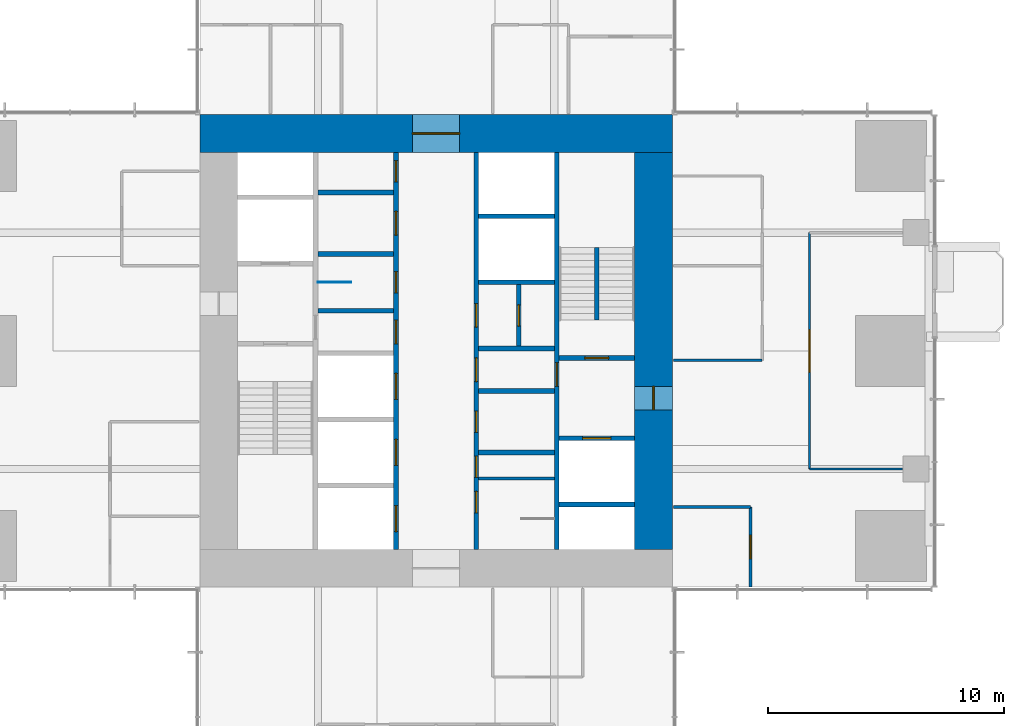
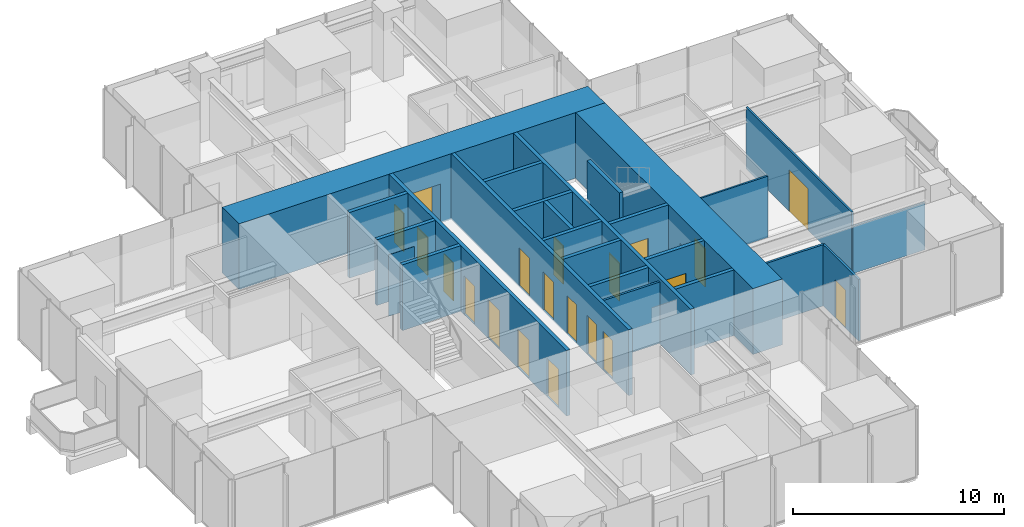
# One storey, part 9 of 13: 25 walls, 20 doors, 20 openings.
"""IFC4 building model written with IfcOpenShell, lengths in metres."""

from ifc_helpers import new_model, si_unit, direction, frame, frame_2d, origin, place, context, subcontext, project, spatial, rectangle, extrude, material, layer, layer_set, type_object, element, fill, save


model = new_model("IFC4")

# Units and contexts
model_context = context("Model", 3, precision=1e-05, world=origin(), true_north=direction((0.0, 1.0)))
body_context = subcontext(model_context, "Body", "Model", "MODEL_VIEW")
ifc_project = project(units=[si_unit("LENGTHUNIT", "METRE"), si_unit("AREAUNIT", "SQUARE_METRE"), si_unit("VOLUMEUNIT", "CUBIC_METRE"), si_unit("PLANEANGLEUNIT", "RADIAN"), si_unit("MASSUNIT", "GRAM", prefix="KILO")], contexts=[model_context])

# Site, building, storey
site_placement = place(None, origin())
site = spatial("IfcSite", under=ifc_project, at=site_placement, CompositionType="ELEMENT")
building_placement = place(site_placement, origin())
building = spatial("IfcBuilding", under=site, at=building_placement, Name="Svetlomir Tower", CompositionType="ELEMENT")
storey_placement = place(building_placement, frame((0.0, 0.0, 156.5)))
storey = spatial("IfcBuildingStorey", under=building, at=storey_placement, Name="L37", CompositionType="ELEMENT", Elevation=156.5)

# Wall, openings, doors
ifc_material_1 = material(Name="Concrete C60/75", Category="concrete")
ifc_layer_1 = layer(ifc_material_1, 0.199951171875)
ifc_layer_set_1 = layer_set([ifc_layer_1], Name="Concrete C60/75")
wall_type_1 = type_object("IfcWallType", Name="CORE INNER WALL 200", PredefinedType="SHEAR", material=ifc_layer_set_1)
wall_1_placement = place(storey_placement, frame((19.300048828125, 12.60009765625, -0.050048828125), z_axis=(0.0, 0.0, 1.0), x_axis=(0.0, 1.0, 0.0)))
wall_1 = element("IfcWall", 1, at=wall_1_placement, inside=storey, type_object=wall_type_1, Name="Core inner wall 19.3 L37", PredefinedType="SHEAR", context=body_context, shape_type="SweptSolid", body=[
    extrude(rectangle(XDim=16.7998046875, YDim=0.199951171875, at=frame_2d((8.39990234375, 0.0))), origin(), (0.0, 0.0, 1.0), 3.800048828125),
])
opening_1_placement = place(wall_1_placement, frame((8.699951171875, 0.0, 0.050048828125)))
opening_1 = element("IfcOpeningElement", 2, at=opening_1_placement, cuts=wall_1, Name="Opening DC", PredefinedType="OPENING", context=body_context, shape_type="SweptSolid", body=[
    extrude(rectangle(XDim=1.0, YDim=2.199951171875, at=frame_2d((0.5, 1.10009765625))), frame((0.0, 0.10986328125, 0.0), z_axis=(0.0, -1.0, 0.0), x_axis=(1.0, 0.0, 0.0)), (0.0, 0.0, 1.0), 0.219970703125),
])
opening_2_placement = place(wall_1_placement, frame((10.85009765625, 0.0, 0.050048828125)))
opening_2 = element("IfcOpeningElement", 3, at=opening_2_placement, cuts=wall_1, Name="Opening DW", PredefinedType="OPENING", context=body_context, shape_type="SweptSolid", body=[
    extrude(rectangle(XDim=0.89990234375, YDim=2.199951171875, at=frame_2d((0.449951171875, 1.10009765625))), frame((0.0, 0.10986328125, 0.0), z_axis=(0.0, -1.0, 0.0), x_axis=(1.0, 0.0, 0.0)), (0.0, 0.0, 1.0), 0.219970703125),
])
opening_3_placement = place(wall_1_placement, frame((13.300048828125, 0.0, 0.050048828125)))
opening_3 = element("IfcOpeningElement", 4, at=opening_3_placement, cuts=wall_1, Name="Opening DC", PredefinedType="OPENING", context=body_context, shape_type="SweptSolid", body=[
    extrude(rectangle(XDim=1.0, YDim=2.199951171875, at=frame_2d((0.5, 1.10009765625))), frame((0.0, 0.10986328125, 0.0), z_axis=(0.0, -1.0, 0.0), x_axis=(1.0, 0.0, 0.0)), (0.0, 0.0, 1.0), 0.219970703125),
])
opening_4_placement = place(wall_1_placement, frame((15.550048828125, 0.0, 0.050048828125)))
opening_4 = element("IfcOpeningElement", 5, at=opening_4_placement, cuts=wall_1, Name="Opening DW", PredefinedType="OPENING", context=body_context, shape_type="SweptSolid", body=[
    extrude(rectangle(XDim=0.89990234375, YDim=2.199951171875, at=frame_2d((0.449951171875, 1.10009765625))), frame((0.0, 0.10986328125, 0.0), z_axis=(0.0, -1.0, 0.0), x_axis=(1.0, 0.0, 0.0)), (0.0, 0.0, 1.0), 0.219970703125),
])
opening_5_placement = place(wall_1_placement, frame((0.75, 0.0, 0.050048828125)))
opening_5 = element("IfcOpeningElement", 6, at=opening_5_placement, cuts=wall_1, Name="Opening LD", PredefinedType="OPENING", context=body_context, shape_type="SweptSolid", body=[
    extrude(rectangle(XDim=1.10009765625, YDim=2.199951171875, at=frame_2d((0.550048828125, 1.10009765625))), frame((0.0, 0.10986328125, 0.0), z_axis=(0.0, -1.0, 0.0), x_axis=(1.0, 0.0, 0.0)), (0.0, 0.0, 1.0), 0.219970703125),
])
opening_6_placement = place(wall_1_placement, frame((3.550048828125, 0.0, 0.050048828125)))
opening_6 = element("IfcOpeningElement", 7, at=opening_6_placement, cuts=wall_1, Name="Opening LD", PredefinedType="OPENING", context=body_context, shape_type="SweptSolid", body=[
    extrude(rectangle(XDim=1.10009765625, YDim=2.199951171875, at=frame_2d((0.550048828125, 1.10009765625))), frame((0.0, 0.10986328125, 0.0), z_axis=(0.0, -1.0, 0.0), x_axis=(1.0, 0.0, 0.0)), (0.0, 0.0, 1.0), 0.219970703125),
])
opening_7_placement = place(wall_1_placement, frame((6.35009765625, 0.0, 0.050048828125)))
opening_7 = element("IfcOpeningElement", 8, at=opening_7_placement, cuts=wall_1, Name="Opening LD", PredefinedType="OPENING", context=body_context, shape_type="SweptSolid", body=[
    extrude(rectangle(XDim=1.10009765625, YDim=2.199951171875, at=frame_2d((0.550048828125, 1.10009765625))), frame((0.0, 0.10986328125, 0.0), z_axis=(0.0, -1.0, 0.0), x_axis=(1.0, 0.0, 0.0)), (0.0, 0.0, 1.0), 0.219970703125),
])
ifc_material_2 = material(Name="Timber fire door", Category="wood")
door_type_1 = type_object("IfcDoorType", Name="DOOR DC 1000x2200", OperationType="SINGLE_SWING_LEFT", PredefinedType="DOOR", material=ifc_material_2)
door_1_placement = place(opening_1_placement, origin())
door_1 = element("IfcDoor", 9, at=door_1_placement, inside=storey, type_object=door_type_1, Name="Core corridor west lobby door L37", OperationType="SINGLE_SWING_RIGHT", OverallHeight=2.199951171875, OverallWidth=1.0, PredefinedType="DOOR", context=body_context, shape_type="SweptSolid", body=[
    extrude(rectangle(XDim=1.0, YDim=2.199951171875, at=frame_2d((0.5, 1.10009765625))), frame((0.0, 0.02490234375, 0.0), z_axis=(0.0, -1.0, 0.0), x_axis=(1.0, 0.0, 0.0)), (0.0, 0.0, 1.0), 0.050048828125),
])
fill(opening_1, door_1)
door_2_placement = place(opening_3_placement, origin())
door_2 = element("IfcDoor", 10, at=door_2_placement, inside=storey, type_object=door_type_1, Name="Accessible WC door L37", OperationType="SINGLE_SWING_LEFT", OverallHeight=2.199951171875, OverallWidth=1.0, PredefinedType="DOOR", context=body_context, shape_type="SweptSolid", body=[
    extrude(rectangle(XDim=1.0, YDim=2.199951171875, at=frame_2d((0.5, 1.10009765625))), frame((0.0, 0.02490234375, 0.0), z_axis=(0.0, -1.0, 0.0), x_axis=(1.0, 0.0, 0.0)), (0.0, 0.0, 1.0), 0.050048828125),
])
fill(opening_3, door_2)
ifc_material_3 = material(Name="Timber fire door", Category="wood")
door_type_2 = type_object("IfcDoorType", Name="DOOR DW 900x2200", OperationType="SINGLE_SWING_LEFT", PredefinedType="DOOR", material=ifc_material_3)
door_3_placement = place(opening_2_placement, origin())
door_3 = element("IfcDoor", 11, at=door_3_placement, inside=storey, type_object=door_type_2, Name="Female WC door L37", OperationType="SINGLE_SWING_RIGHT", OverallHeight=2.199951171875, OverallWidth=0.89990234375, PredefinedType="DOOR", context=body_context, shape_type="SweptSolid", body=[
    extrude(rectangle(XDim=0.89990234375, YDim=2.199951171875, at=frame_2d((0.449951171875, 1.10009765625))), frame((0.0, 0.02490234375, 0.0), z_axis=(0.0, -1.0, 0.0), x_axis=(1.0, 0.0, 0.0)), (0.0, 0.0, 1.0), 0.050048828125),
])
fill(opening_2, door_3)
door_4_placement = place(opening_4_placement, origin())
door_4 = element("IfcDoor", 12, at=door_4_placement, inside=storey, type_object=door_type_2, Name="Tea point door L37", OperationType="SINGLE_SWING_RIGHT", OverallHeight=2.199951171875, OverallWidth=0.89990234375, PredefinedType="DOOR", context=body_context, shape_type="SweptSolid", body=[
    extrude(rectangle(XDim=0.89990234375, YDim=2.199951171875, at=frame_2d((0.449951171875, 1.10009765625))), frame((0.0, 0.02490234375, 0.0), z_axis=(0.0, -1.0, 0.0), x_axis=(1.0, 0.0, 0.0)), (0.0, 0.0, 1.0), 0.050048828125),
])
fill(opening_4, door_4)
ifc_material_4 = material(Name="Stainless steel landing door", Category="steel")
door_type_3 = type_object("IfcDoorType", Name="LIFT LANDING DOOR LD 1100x2200", OperationType="DOUBLE_DOOR_SLIDING", PredefinedType="DOOR", material=ifc_material_4)
door_5_placement = place(opening_5_placement, origin())
door_5 = element("IfcDoor", 13, at=door_5_placement, inside=storey, type_object=door_type_3, Name="Landing door lift LB1 L37", OperationType="DOUBLE_DOOR_SLIDING", OverallHeight=2.199951171875, OverallWidth=1.10009765625, PredefinedType="DOOR", context=body_context, shape_type="SweptSolid", body=[
    extrude(rectangle(XDim=1.10009765625, YDim=2.199951171875, at=frame_2d((0.550048828125, 1.10009765625))), frame((0.0, 0.02490234375, 0.0), z_axis=(0.0, -1.0, 0.0), x_axis=(1.0, 0.0, 0.0)), (0.0, 0.0, 1.0), 0.050048828125),
])
fill(opening_5, door_5)
door_6_placement = place(opening_6_placement, origin())
door_6 = element("IfcDoor", 14, at=door_6_placement, inside=storey, type_object=door_type_3, Name="Landing door lift LB2 L37", OperationType="DOUBLE_DOOR_SLIDING", OverallHeight=2.199951171875, OverallWidth=1.10009765625, PredefinedType="DOOR", context=body_context, shape_type="SweptSolid", body=[
    extrude(rectangle(XDim=1.10009765625, YDim=2.199951171875, at=frame_2d((0.550048828125, 1.10009765625))), frame((0.0, 0.02490234375, 0.0), z_axis=(0.0, -1.0, 0.0), x_axis=(1.0, 0.0, 0.0)), (0.0, 0.0, 1.0), 0.050048828125),
])
fill(opening_6, door_6)
door_7_placement = place(opening_7_placement, origin())
door_7 = element("IfcDoor", 15, at=door_7_placement, inside=storey, type_object=door_type_3, Name="Landing door lift LB3 L37", OperationType="DOUBLE_DOOR_SLIDING", OverallHeight=2.199951171875, OverallWidth=1.10009765625, PredefinedType="DOOR", context=body_context, shape_type="SweptSolid", body=[
    extrude(rectangle(XDim=1.10009765625, YDim=2.199951171875, at=frame_2d((0.550048828125, 1.10009765625))), frame((0.0, 0.02490234375, 0.0), z_axis=(0.0, -1.0, 0.0), x_axis=(1.0, 0.0, 0.0)), (0.0, 0.0, 1.0), 0.050048828125),
])
fill(opening_7, door_7)

wall_2_placement = place(storey_placement, frame((22.699951171875, 12.60009765625, -0.050048828125), z_axis=(0.0, 0.0, 1.0), x_axis=(0.0, 1.0, 0.0)))
wall_2 = element("IfcWall", 16, at=wall_2_placement, inside=storey, type_object=wall_type_1, Name="Core inner wall 22.7 L37", PredefinedType="SHEAR", context=body_context, shape_type="SweptSolid", body=[
    extrude(rectangle(XDim=16.7998046875, YDim=0.199951171875, at=frame_2d((8.39990234375, 0.0))), origin(), (0.0, 0.0, 1.0), 3.800048828125),
])
opening_8_placement = place(wall_2_placement, frame((3.050048828125, 0.0, 0.050048828125)))
opening_8 = element("IfcOpeningElement", 17, at=opening_8_placement, cuts=wall_2, Name="Opening DW", PredefinedType="OPENING", context=body_context, shape_type="SweptSolid", body=[
    extrude(rectangle(XDim=0.89990234375, YDim=2.199951171875, at=frame_2d((0.449951171875, 1.10009765625))), frame((0.0, 0.10986328125, 0.0), z_axis=(0.0, -1.0, 0.0), x_axis=(1.0, 0.0, 0.0)), (0.0, 0.0, 1.0), 0.219970703125),
])
opening_9_placement = place(wall_2_placement, frame((7.10009765625, 0.0, 0.050048828125)))
opening_9 = element("IfcOpeningElement", 18, at=opening_9_placement, cuts=wall_2, Name="Opening DC", PredefinedType="OPENING", context=body_context, shape_type="SweptSolid", body=[
    extrude(rectangle(XDim=1.0, YDim=2.199951171875, at=frame_2d((0.5, 1.10009765625))), frame((0.0, 0.10986328125, 0.0), z_axis=(0.0, -1.0, 0.0), x_axis=(1.0, 0.0, 0.0)), (0.0, 0.0, 1.0), 0.219970703125),
])
opening_10_placement = place(wall_2_placement, frame((1.550048828125, 0.0, 0.050048828125)))
opening_10 = element("IfcOpeningElement", 19, at=opening_10_placement, cuts=wall_2, Name="Opening DW", PredefinedType="OPENING", context=body_context, shape_type="SweptSolid", body=[
    extrude(rectangle(XDim=0.89990234375, YDim=2.199951171875, at=frame_2d((0.449951171875, 1.10009765625))), frame((0.0, 0.10986328125, 0.0), z_axis=(0.0, -1.0, 0.0), x_axis=(1.0, 0.0, 0.0)), (0.0, 0.0, 1.0), 0.219970703125),
])
opening_11_placement = place(wall_2_placement, frame((4.949951171875, 0.0, 0.050048828125)))
opening_11 = element("IfcOpeningElement", 20, at=opening_11_placement, cuts=wall_2, Name="Opening DW", PredefinedType="OPENING", context=body_context, shape_type="SweptSolid", body=[
    extrude(rectangle(XDim=0.89990234375, YDim=2.199951171875, at=frame_2d((0.449951171875, 1.10009765625))), frame((0.0, 0.10986328125, 0.0), z_axis=(0.0, -1.0, 0.0), x_axis=(1.0, 0.0, 0.0)), (0.0, 0.0, 1.0), 0.219970703125),
])
opening_12_placement = place(wall_2_placement, frame((9.39990234375, 0.0, 0.050048828125)))
opening_12 = element("IfcOpeningElement", 21, at=opening_12_placement, cuts=wall_2, Name="Opening DC", PredefinedType="OPENING", context=body_context, shape_type="SweptSolid", body=[
    extrude(rectangle(XDim=1.0, YDim=2.199951171875, at=frame_2d((0.5, 1.10009765625))), frame((0.0, 0.10986328125, 0.0), z_axis=(0.0, -1.0, 0.0), x_axis=(1.0, 0.0, 0.0)), (0.0, 0.0, 1.0), 0.219970703125),
])
door_8_placement = place(opening_9_placement, origin())
door_8 = element("IfcDoor", 22, at=door_8_placement, inside=storey, type_object=door_type_1, Name="Core corridor east lobby door L37", OperationType="SINGLE_SWING_LEFT", OverallHeight=2.199951171875, OverallWidth=1.0, PredefinedType="DOOR", context=body_context, shape_type="SweptSolid", body=[
    extrude(rectangle(XDim=1.0, YDim=2.199951171875, at=frame_2d((0.5, 1.10009765625))), frame((0.0, 0.02490234375, 0.0), z_axis=(0.0, -1.0, 0.0), x_axis=(1.0, 0.0, 0.0)), (0.0, 0.0, 1.0), 0.050048828125),
])
fill(opening_9, door_8)
door_9_placement = place(opening_12_placement, origin())
door_9 = element("IfcDoor", 23, at=door_9_placement, inside=storey, type_object=door_type_1, Name="Converted shaft BANK-E1 room door L37", OperationType="SINGLE_SWING_LEFT", OverallHeight=2.199951171875, OverallWidth=1.0, PredefinedType="DOOR", context=body_context, shape_type="SweptSolid", body=[
    extrude(rectangle(XDim=1.0, YDim=2.199951171875, at=frame_2d((0.5, 1.10009765625))), frame((0.0, 0.02490234375, 0.0), z_axis=(0.0, -1.0, 0.0), x_axis=(1.0, 0.0, 0.0)), (0.0, 0.0, 1.0), 0.050048828125),
])
fill(opening_12, door_9)
door_10_placement = place(opening_8_placement, origin())
door_10 = element("IfcDoor", 24, at=door_10_placement, inside=storey, type_object=door_type_2, Name="Shower and changing room door L37", OperationType="SINGLE_SWING_LEFT", OverallHeight=2.199951171875, OverallWidth=0.89990234375, PredefinedType="DOOR", context=body_context, shape_type="SweptSolid", body=[
    extrude(rectangle(XDim=0.89990234375, YDim=2.199951171875, at=frame_2d((0.449951171875, 1.10009765625))), frame((0.0, 0.02490234375, 0.0), z_axis=(0.0, -1.0, 0.0), x_axis=(1.0, 0.0, 0.0)), (0.0, 0.0, 1.0), 0.050048828125),
])
fill(opening_8, door_10)
door_11_placement = place(opening_10_placement, origin())
door_11 = element("IfcDoor", 25, at=door_11_placement, inside=storey, type_object=door_type_2, Name="Male WC door L37", OperationType="SINGLE_SWING_RIGHT", OverallHeight=2.199951171875, OverallWidth=0.89990234375, PredefinedType="DOOR", context=body_context, shape_type="SweptSolid", body=[
    extrude(rectangle(XDim=0.89990234375, YDim=2.199951171875, at=frame_2d((0.449951171875, 1.10009765625))), frame((0.0, 0.02490234375, 0.0), z_axis=(0.0, -1.0, 0.0), x_axis=(1.0, 0.0, 0.0)), (0.0, 0.0, 1.0), 0.050048828125),
])
fill(opening_10, door_11)
door_12_placement = place(opening_11_placement, origin())
door_12 = element("IfcDoor", 26, at=door_12_placement, inside=storey, type_object=door_type_2, Name="Comms room door L37", OperationType="SINGLE_SWING_RIGHT", OverallHeight=2.199951171875, OverallWidth=0.89990234375, PredefinedType="DOOR", context=body_context, shape_type="SweptSolid", body=[
    extrude(rectangle(XDim=0.89990234375, YDim=2.199951171875, at=frame_2d((0.449951171875, 1.10009765625))), frame((0.0, 0.02490234375, 0.0), z_axis=(0.0, -1.0, 0.0), x_axis=(1.0, 0.0, 0.0)), (0.0, 0.0, 1.0), 0.050048828125),
])
fill(opening_11, door_12)

# Wall, opening, door
wall_3_placement = place(storey_placement, frame((26.10009765625, 12.60009765625, -0.050048828125), z_axis=(0.0, 0.0, 1.0), x_axis=(0.0, 1.0, 0.0)))
wall_3 = element("IfcWall", 27, at=wall_3_placement, inside=storey, type_object=wall_type_1, Name="Core inner wall 26.1 L37", PredefinedType="SHEAR", context=body_context, shape_type="SweptSolid", body=[
    extrude(rectangle(XDim=16.7998046875, YDim=0.199951171875, at=frame_2d((8.39990234375, 0.0))), origin(), (0.0, 0.0, 1.0), 3.800048828125),
])
opening_13_placement = place(wall_3_placement, frame((6.89990234375, 0.0, 0.050048828125)))
opening_13 = element("IfcOpeningElement", 28, at=opening_13_placement, cuts=wall_3, Name="Opening DF", PredefinedType="OPENING", context=body_context, shape_type="SweptSolid", body=[
    extrude(rectangle(XDim=1.0, YDim=2.199951171875, at=frame_2d((0.5, 1.10009765625))), frame((0.0, 0.10986328125, 0.0), z_axis=(0.0, -1.0, 0.0), x_axis=(1.0, 0.0, 0.0)), (0.0, 0.0, 1.0), 0.219970703125),
])
ifc_material_5 = material(Name="Steel fire door", Category="steel")
door_type_4 = type_object("IfcDoorType", Name="DOOR DF 1000x2200", OperationType="SINGLE_SWING_LEFT", PredefinedType="DOOR", material=ifc_material_5)
door_13_placement = place(opening_13_placement, origin())
door_13 = element("IfcDoor", 29, at=door_13_placement, inside=storey, type_object=door_type_4, Name="Core corridor east door L37", OperationType="SINGLE_SWING_LEFT", OverallHeight=2.199951171875, OverallWidth=1.0, PredefinedType="DOOR", context=body_context, shape_type="SweptSolid", body=[
    extrude(rectangle(XDim=1.0, YDim=2.199951171875, at=frame_2d((0.5, 1.10009765625))), frame((0.0, 0.02490234375, 0.0), z_axis=(0.0, -1.0, 0.0), x_axis=(1.0, 0.0, 0.0)), (0.0, 0.0, 1.0), 0.050048828125),
])
fill(opening_13, door_13)

# Walls
for number, where, z_axis, x_axis, name in (
    (30, (16.0, 22.699951171875, -0.050048828125), (0.0, 0.0, 1.0), (1.0, 0.0, 0.0), "Core inner wall 16-19.2/22.7 L37"),
    (31, (16.0, 25.10009765625, -0.050048828125), (0.0, 0.0, 1.0), (1.0, 0.0, 0.0), "Core inner wall 16-19.2/25.1 L37"),
    (32, (16.0, 27.699951171875, -0.050048828125), (0.0, 0.0, 1.0), (1.0, 0.0, 0.0), "Core inner wall 16-19.2/27.7 L37"),
    (33, (22.800048828125, 16.699951171875, -0.050048828125), (0.0, 0.0, 1.0), (1.0, 0.0, 0.0), "Core inner wall 22.8-26/16.7 L37"),
    (34, (22.800048828125, 19.300048828125, -0.050048828125), (0.0, 0.0, 1.0), (1.0, 0.0, 0.0), "Core inner wall 22.8-26/19.3 L37"),
    (35, (22.800048828125, 21.10009765625, -0.050048828125), (0.0, 0.0, 1.0), (1.0, 0.0, 0.0), "Core inner wall 22.8-26/21.1 L37"),
    (36, (22.800048828125, 23.89990234375, -0.050048828125), (0.0, 0.0, 1.0), (1.0, 0.0, 0.0), "Core inner wall 22.8-26/23.9 L37"),
    (37, (22.800048828125, 26.699951171875, -0.050048828125), (0.0, 0.0, 1.0), (1.0, 0.0, 0.0), "Core inner wall 22.8-26/26.7 L37"),
    (38, (26.199951171875, 14.5, -0.050048828125), (0.0, 0.0, 1.0), (1.0, 0.0, 0.0), "Core inner wall 26.2-29.4/14.5 L37"),
):
    element("IfcWall", number, at=place(storey_placement, frame(where, z_axis=z_axis, x_axis=x_axis)), inside=storey, type_object=wall_type_1, Name=name, PredefinedType="SHEAR", context=body_context, shape_type="SweptSolid", body=[
        extrude(rectangle(XDim=3.199951171875, YDim=0.199951171875, at=frame_2d((1.60009765625, 0.0))), origin(), (0.0, 0.0, 1.0), 3.800048828125),
    ])

# Wall, opening, door
wall_4_placement = place(storey_placement, frame((26.199951171875, 17.300048828125, -0.050048828125), z_axis=(0.0, 0.0, 1.0), x_axis=(1.0, 0.0, 0.0)))
wall_4 = element("IfcWall", 39, at=wall_4_placement, inside=storey, type_object=wall_type_1, Name="Core inner wall 26.2-29.4/17.3 L37", PredefinedType="SHEAR", context=body_context, shape_type="SweptSolid", body=[
    extrude(rectangle(XDim=3.199951171875, YDim=0.199951171875, at=frame_2d((1.60009765625, 0.0))), origin(), (0.0, 0.0, 1.0), 3.800048828125),
])
opening_14_placement = place(wall_4_placement, frame((1.0, 0.0, 0.050048828125)))
opening_14 = element("IfcOpeningElement", 40, at=opening_14_placement, cuts=wall_4, Name="Opening LD3", PredefinedType="OPENING", context=body_context, shape_type="SweptSolid", body=[
    extrude(rectangle(XDim=1.199951171875, YDim=2.199951171875, at=frame_2d((0.60009765625, 1.10009765625))), frame((0.0, 0.10986328125, 0.0), z_axis=(0.0, -1.0, 0.0), x_axis=(1.0, 0.0, 0.0)), (0.0, 0.0, 1.0), 0.219970703125),
])
ifc_material_6 = material(Name="Stainless steel fire-rated landing door", Category="steel")
door_type_5 = type_object("IfcDoorType", Name="FIREFIGHTING LIFT LANDING DOOR LD3 1200x2200", OperationType="DOUBLE_DOOR_SLIDING", PredefinedType="DOOR", material=ifc_material_6)
door_14_placement = place(opening_14_placement, origin())
door_14 = element("IfcDoor", 41, at=door_14_placement, inside=storey, type_object=door_type_5, Name="Landing door lift FL2 L37", OperationType="DOUBLE_DOOR_SLIDING", OverallHeight=2.199951171875, OverallWidth=1.199951171875, PredefinedType="DOOR", context=body_context, shape_type="SweptSolid", body=[
    extrude(rectangle(XDim=1.199951171875, YDim=2.199951171875, at=frame_2d((0.60009765625, 1.10009765625))), frame((0.0, 0.02490234375, 0.0), z_axis=(0.0, -1.0, 0.0), x_axis=(1.0, 0.0, 0.0)), (0.0, 0.0, 1.0), 0.050048828125),
])
fill(opening_14, door_14)

wall_5_placement = place(storey_placement, frame((26.199951171875, 20.699951171875, -0.050048828125), z_axis=(0.0, 0.0, 1.0), x_axis=(1.0, 0.0, 0.0)))
wall_5 = element("IfcWall", 42, at=wall_5_placement, inside=storey, type_object=wall_type_1, Name="Core inner wall 26.2-29.4/20.7 L37", PredefinedType="SHEAR", context=body_context, shape_type="SweptSolid", body=[
    extrude(rectangle(XDim=3.199951171875, YDim=0.199951171875, at=frame_2d((1.60009765625, 0.0))), origin(), (0.0, 0.0, 1.0), 3.800048828125),
])
opening_15_placement = place(wall_5_placement, frame((1.10009765625, 0.0, 0.050048828125)))
opening_15 = element("IfcOpeningElement", 43, at=opening_15_placement, cuts=wall_5, Name="Opening DF", PredefinedType="OPENING", context=body_context, shape_type="SweptSolid", body=[
    extrude(rectangle(XDim=1.0, YDim=2.199951171875, at=frame_2d((0.5, 1.10009765625))), frame((0.0, 0.10986328125, 0.0), z_axis=(0.0, -1.0, 0.0), x_axis=(1.0, 0.0, 0.0)), (0.0, 0.0, 1.0), 0.219970703125),
])
door_15_placement = place(opening_15_placement, origin())
door_15 = element("IfcDoor", 44, at=door_15_placement, inside=storey, type_object=door_type_4, Name="Stair S2 door L37", OperationType="SINGLE_SWING_LEFT", OverallHeight=2.199951171875, OverallWidth=1.0, PredefinedType="DOOR", context=body_context, shape_type="SweptSolid", body=[
    extrude(rectangle(XDim=1.0, YDim=2.199951171875, at=frame_2d((0.5, 1.10009765625))), frame((0.0, 0.02490234375, 0.0), z_axis=(0.0, -1.0, 0.0), x_axis=(1.0, 0.0, 0.0)), (0.0, 0.0, 1.0), 0.050048828125),
])
fill(opening_15, door_15)

wall_6_placement = place(storey_placement, frame((24.5, 21.199951171875, -0.050048828125), z_axis=(0.0, 0.0, 1.0), x_axis=(0.0, 1.0, 0.0)))
wall_6 = element("IfcWall", 45, at=wall_6_placement, inside=storey, type_object=wall_type_1, Name="Core inner wall 24.5/21.2-23.8 L37", PredefinedType="SHEAR", context=body_context, shape_type="SweptSolid", body=[
    extrude(rectangle(XDim=2.60009765625, YDim=0.199951171875, at=frame_2d((1.300048828125, 0.0))), origin(), (0.0, 0.0, 1.0), 3.800048828125),
])
opening_16_placement = place(wall_6_placement, frame((0.85009765625, 0.0, 0.050048828125)))
opening_16 = element("IfcOpeningElement", 46, at=opening_16_placement, cuts=wall_6, Name="Opening DW", PredefinedType="OPENING", context=body_context, shape_type="SweptSolid", body=[
    extrude(rectangle(XDim=0.89990234375, YDim=2.199951171875, at=frame_2d((0.449951171875, 1.10009765625))), frame((0.0, 0.10986328125, 0.0), z_axis=(0.0, -1.0, 0.0), x_axis=(1.0, 0.0, 0.0)), (0.0, 0.0, 1.0), 0.219970703125),
])
door_16_placement = place(opening_16_placement, origin())
door_16 = element("IfcDoor", 47, at=door_16_placement, inside=storey, type_object=door_type_2, Name="Converted shaft BANK-E1 back room door L37", OperationType="SINGLE_SWING_RIGHT", OverallHeight=2.199951171875, OverallWidth=0.89990234375, PredefinedType="DOOR", context=body_context, shape_type="SweptSolid", body=[
    extrude(rectangle(XDim=0.89990234375, YDim=2.199951171875, at=frame_2d((0.449951171875, 1.10009765625))), frame((0.0, 0.02490234375, 0.0), z_axis=(0.0, -1.0, 0.0), x_axis=(1.0, 0.0, 0.0)), (0.0, 0.0, 1.0), 0.050048828125),
])
fill(opening_16, door_16)

ifc_material_7 = material(Name="Concrete C60/75", Category="concrete")
ifc_layer_2 = layer(ifc_material_7, 1.60009765625)
ifc_layer_set_2 = layer_set([ifc_layer_2], Name="Concrete C60/75")
wall_type_2 = type_object("IfcWallType", Name="CORE WALL 1600", PredefinedType="SHEAR", material=ifc_layer_set_2)
wall_7_placement = place(storey_placement, frame((11.0, 30.199951171875, -0.050048828125), z_axis=(0.0, 0.0, 1.0), x_axis=(1.0, 0.0, 0.0)))
wall_7 = element("IfcWall", 48, at=wall_7_placement, inside=storey, type_object=wall_type_2, Name="Core wall north L37", PredefinedType="SHEAR", context=body_context, shape_type="SweptSolid", body=[
    extrude(rectangle(XDim=20.0, YDim=1.60009765625, at=frame_2d((10.0, 0.0))), origin(), (0.0, 0.0, 1.0), 3.800048828125),
])
opening_17_placement = place(wall_7_placement, frame((9.0, 0.0, 0.050048828125)))
opening_17 = element("IfcOpeningElement", 49, at=opening_17_placement, cuts=wall_7, Name="Opening DL", PredefinedType="OPENING", context=body_context, shape_type="SweptSolid", body=[
    extrude(rectangle(XDim=2.0, YDim=2.199951171875, at=frame_2d((1.0, 1.10009765625))), frame((0.0, 0.81005859375, 0.0), z_axis=(0.0, -1.0, 0.0), x_axis=(1.0, 0.0, 0.0)), (0.0, 0.0, 1.0), 1.6201171875),
])
ifc_material_8 = material(Name="Steel fire door", Category="steel")
door_type_6 = type_object("IfcDoorType", Name="DOOR DL 2000x2200", OperationType="DOUBLE_DOOR_SINGLE_SWING", PredefinedType="DOOR", material=ifc_material_8)
door_17_placement = place(opening_17_placement, origin())
door_17 = element("IfcDoor", 50, at=door_17_placement, inside=storey, type_object=door_type_6, Name="Lift lobby north door L37", OperationType="DOUBLE_DOOR_SINGLE_SWING", OverallHeight=2.199951171875, OverallWidth=2.0, PredefinedType="DOOR", context=body_context, shape_type="SweptSolid", body=[
    extrude(rectangle(XDim=2.0, YDim=2.199951171875, at=frame_2d((1.0, 1.10009765625))), frame((0.0, 0.02490234375, 0.0), z_axis=(0.0, -1.0, 0.0), x_axis=(1.0, 0.0, 0.0)), (0.0, 0.0, 1.0), 0.050048828125),
])
fill(opening_17, door_17)

wall_8_placement = place(storey_placement, frame((30.199951171875, 12.60009765625, -0.050048828125), z_axis=(0.0, 0.0, 1.0), x_axis=(0.0, 1.0, 0.0)))
wall_8 = element("IfcWall", 51, at=wall_8_placement, inside=storey, type_object=wall_type_2, Name="Core wall east L37", PredefinedType="SHEAR", context=body_context, shape_type="SweptSolid", body=[
    extrude(rectangle(XDim=16.7998046875, YDim=1.60009765625, at=frame_2d((8.39990234375, 0.0))), origin(), (0.0, 0.0, 1.0), 3.800048828125),
])
opening_18_placement = place(wall_8_placement, frame((5.89990234375, 0.0, 0.050048828125)))
opening_18 = element("IfcOpeningElement", 52, at=opening_18_placement, cuts=wall_8, Name="Opening DF", PredefinedType="OPENING", context=body_context, shape_type="SweptSolid", body=[
    extrude(rectangle(XDim=1.0, YDim=2.199951171875, at=frame_2d((0.5, 1.10009765625))), frame((0.0, 0.81005859375, 0.0), z_axis=(0.0, -1.0, 0.0), x_axis=(1.0, 0.0, 0.0)), (0.0, 0.0, 1.0), 1.6201171875),
])
door_18_placement = place(opening_18_placement, origin())
door_18 = element("IfcDoor", 53, at=door_18_placement, inside=storey, type_object=door_type_4, Name="Firefighting lobby east door L37", OperationType="SINGLE_SWING_LEFT", OverallHeight=2.199951171875, OverallWidth=1.0, PredefinedType="DOOR", context=body_context, shape_type="SweptSolid", body=[
    extrude(rectangle(XDim=1.0, YDim=2.199951171875, at=frame_2d((0.5, 1.10009765625))), frame((0.0, 0.02490234375, 0.0), z_axis=(0.0, -1.0, 0.0), x_axis=(1.0, 0.0, 0.0)), (0.0, 0.0, 1.0), 0.050048828125),
])
fill(opening_18, door_18)

# Wall
ifc_material_9 = material(Name="Framed laminated glass partition", Category="glass")
ifc_layer_3 = layer(ifc_material_9, 0.10009765625)
ifc_layer_set_3 = layer_set([ifc_layer_3], Name="Framed laminated glass partition")
wall_type_3 = type_object("IfcWallType", Name="GLAZED PARTITION 100", PredefinedType="PARTITIONING", material=ifc_layer_set_3)
wall_9_placement = place(storey_placement, frame((31.050048828125, 20.60009765625, 0.0), z_axis=(0.0, 0.0, 1.0), x_axis=(1.0, 0.0, 0.0)))
element("IfcWall", 54, at=wall_9_placement, inside=storey, type_object=wall_type_3, Name="Glazed partition L37", PredefinedType="PARTITIONING", context=body_context, shape_type="SweptSolid", body=[
    extrude(rectangle(XDim=3.75, YDim=0.10009765625, at=frame_2d((1.875, 0.0))), origin(), (0.0, 0.0, 1.0), 3.550048828125),
])

# Wall, opening, door
wall_10_placement = place(storey_placement, frame((36.800048828125, 16.0, 0.0), z_axis=(0.0, 0.0, 1.0), x_axis=(0.0, 1.0, 0.0)))
wall_10 = element("IfcWall", 55, at=wall_10_placement, inside=storey, type_object=wall_type_3, Name="Glazed partition L37", PredefinedType="PARTITIONING", context=body_context, shape_type="SweptSolid", body=[
    extrude(rectangle(XDim=10.0, YDim=0.10009765625, at=frame_2d((5.0, 0.0))), origin(), (0.0, 0.0, 1.0), 3.550048828125),
])
opening_19_placement = place(wall_10_placement, frame((4.10009765625, 0.0, 0.0)))
opening_19 = element("IfcOpeningElement", 56, at=opening_19_placement, cuts=wall_10, Name="Opening DD", PredefinedType="OPENING", context=body_context, shape_type="SweptSolid", body=[
    extrude(rectangle(XDim=1.800048828125, YDim=2.39990234375, at=frame_2d((0.89990234375, 1.199951171875))), frame((0.0, 0.06005859375, 0.0), z_axis=(0.0, -1.0, 0.0), x_axis=(1.0, 0.0, 0.0)), (0.0, 0.0, 1.0), 0.1201171875),
])
ifc_material_10 = material(Name="Timber door", Category="wood")
door_type_7 = type_object("IfcDoorType", Name="DOOR DD 1800x2400", OperationType="DOUBLE_DOOR_SINGLE_SWING", PredefinedType="DOOR", material=ifc_material_10)
door_19_placement = place(opening_19_placement, origin())
door_19 = element("IfcDoor", 57, at=door_19_placement, inside=storey, type_object=door_type_7, Name="Press briefing room, 20 seats door L37", OperationType="DOUBLE_DOOR_SINGLE_SWING", OverallHeight=2.39990234375, OverallWidth=1.800048828125, PredefinedType="DOOR", context=body_context, shape_type="SweptSolid", body=[
    extrude(rectangle(XDim=1.800048828125, YDim=2.39990234375, at=frame_2d((0.89990234375, 1.199951171875))), frame((0.0, 0.02490234375, 0.0), z_axis=(0.0, -1.0, 0.0), x_axis=(1.0, 0.0, 0.0)), (0.0, 0.0, 1.0), 0.050048828125),
])
fill(opening_19, door_19)

# Walls
wall_11_placement = place(storey_placement, frame((36.800048828125, 16.0, 0.0), z_axis=(0.0, 0.0, 1.0), x_axis=(1.0, 0.0, 0.0)))
element("IfcWall", 58, at=wall_11_placement, inside=storey, type_object=wall_type_3, Name="Glazed partition L37", PredefinedType="PARTITIONING", context=body_context, shape_type="SweptSolid", body=[
    extrude(rectangle(XDim=3.93994140625, YDim=0.10009765625, at=frame_2d((1.969970703125, 0.0))), origin(), (0.0, 0.0, 1.0), 2.736083984375),
])
ifc_material_11 = material(Name="Gypsum board on steel studs", Category="steel")
ifc_layer_4 = layer(ifc_material_11, 0.1201171875)
ifc_layer_set_4 = layer_set([ifc_layer_4], Name="Gypsum board on steel studs")
wall_type_4 = type_object("IfcWallType", Name="PARTITION 120", PredefinedType="PARTITIONING", material=ifc_layer_set_4)
wall_12_placement = place(storey_placement, frame((22.800048828125, 15.60009765625, 0.0), z_axis=(0.0, 0.0, 1.0), x_axis=(1.0, 0.0, 0.0)))
element("IfcWall", 59, at=wall_12_placement, inside=storey, type_object=wall_type_4, Name="Shower room partition L37", PredefinedType="PARTITIONING", context=body_context, shape_type="SweptSolid", body=[
    extrude(rectangle(XDim=3.199951171875, YDim=0.1201171875, at=frame_2d((1.60009765625, 0.0))), origin(), (0.0, 0.0, 1.0), 3.550048828125),
])
wall_13_placement = place(storey_placement, frame((31.050048828125, 14.39990234375, 0.0), z_axis=(0.0, 0.0, 1.0), x_axis=(1.0, 0.0, 0.0)))
element("IfcWall", 60, at=wall_13_placement, inside=storey, type_object=wall_type_4, Name="Partition L37", PredefinedType="PARTITIONING", context=body_context, shape_type="SweptSolid", body=[
    extrude(rectangle(XDim=3.25, YDim=0.1201171875, at=frame_2d((1.625, 0.0))), origin(), (0.0, 0.0, 1.0), 3.550048828125),
])

# Wall, opening, door
wall_14_placement = place(storey_placement, frame((34.300048828125, 11.0, 0.0), z_axis=(0.0, 0.0, 1.0), x_axis=(0.0, 1.0, 0.0)))
wall_14 = element("IfcWall", 61, at=wall_14_placement, inside=storey, type_object=wall_type_4, Name="Partition L37", PredefinedType="PARTITIONING", context=body_context, shape_type="SweptSolid", body=[
    extrude(rectangle(XDim=3.39990234375, YDim=0.1201171875, at=frame_2d((1.699951171875, 0.0))), origin(), (0.0, 0.0, 1.0), 3.550048828125),
])
opening_20_placement = place(wall_14_placement, frame((1.199951171875, 0.0, 0.0)))
opening_20 = element("IfcOpeningElement", 62, at=opening_20_placement, cuts=wall_14, Name="Opening DR", PredefinedType="OPENING", context=body_context, shape_type="SweptSolid", body=[
    extrude(rectangle(XDim=1.0, YDim=2.199951171875, at=frame_2d((0.5, 1.10009765625))), frame((0.0, 0.070068359375, 0.0), z_axis=(0.0, -1.0, 0.0), x_axis=(1.0, 0.0, 0.0)), (0.0, 0.0, 1.0), 0.14013671875),
])
ifc_material_12 = material(Name="Timber door, glazed side light", Category="wood")
door_type_8 = type_object("IfcDoorType", Name="DOOR DR 1000x2200", OperationType="SINGLE_SWING_LEFT", PredefinedType="DOOR", material=ifc_material_12)
door_20_placement = place(opening_20_placement, origin())
door_20 = element("IfcDoor", 63, at=door_20_placement, inside=storey, type_object=door_type_8, Name="Archive and props store door L37", OperationType="SINGLE_SWING_RIGHT", OverallHeight=2.199951171875, OverallWidth=1.0, PredefinedType="DOOR", context=body_context, shape_type="SweptSolid", body=[
    extrude(rectangle(XDim=1.0, YDim=2.199951171875, at=frame_2d((0.5, 1.10009765625))), frame((0.0, 0.02490234375, 0.0), z_axis=(0.0, -1.0, 0.0), x_axis=(1.0, 0.0, 0.0)), (0.0, 0.0, 1.0), 0.050048828125),
])
fill(opening_20, door_20)

# Walls
ifc_material_13 = material(Name="Concrete C60/75", Category="concrete")
ifc_layer_5 = layer(ifc_material_13, 0.199951171875)
ifc_layer_set_5 = layer_set([ifc_layer_5], Name="Concrete C60/75")
wall_type_5 = type_object("IfcWallType", Name="STAIR SPINE WALL 200", PredefinedType="PARTITIONING", material=ifc_layer_set_5)
wall_15_placement = place(storey_placement, frame((27.800048828125, 22.300048828125, 0.0), z_axis=(0.0, 0.0, 1.0), x_axis=(0.0, 1.0, 0.0)))
element("IfcWall", 64, at=wall_15_placement, inside=storey, type_object=wall_type_5, Name="Stair S2 spine wall L37", PredefinedType="PARTITIONING", context=body_context, shape_type="SweptSolid", body=[
    extrude(rectangle(XDim=3.079833984375, YDim=0.199951171875, at=frame_2d((1.5400390625, 0.0))), origin(), (0.0, 0.0, 1.0), 4.0),
])
ifc_material_14 = material(Name="Compact laminate panel", Category="plastic")
ifc_layer_6 = layer(ifc_material_14, 0.030029296875)
ifc_layer_set_6 = layer_set([ifc_layer_6], Name="Compact laminate panel")
wall_type_6 = type_object("IfcWallType", Name="WC CUBICLE PARTITION 30", PredefinedType="PARTITIONING", material=ifc_layer_set_6)
wall_16_placement = place(storey_placement, frame((16.0, 23.89990234375, 0.0), z_axis=(0.0, 0.0, 1.0), x_axis=(1.0, 0.0, 0.0)))
element("IfcWall", 65, at=wall_16_placement, inside=storey, type_object=wall_type_6, Name="WC cubicle partition L37", PredefinedType="PARTITIONING", context=body_context, shape_type="SweptSolid", body=[
    extrude(rectangle(XDim=1.39990234375, YDim=0.030029296875, at=frame_2d((0.699951171875, 0.0))), origin(), (0.0, 0.0, 1.0), 3.550048828125),
])

save(model, "model.ifc")
